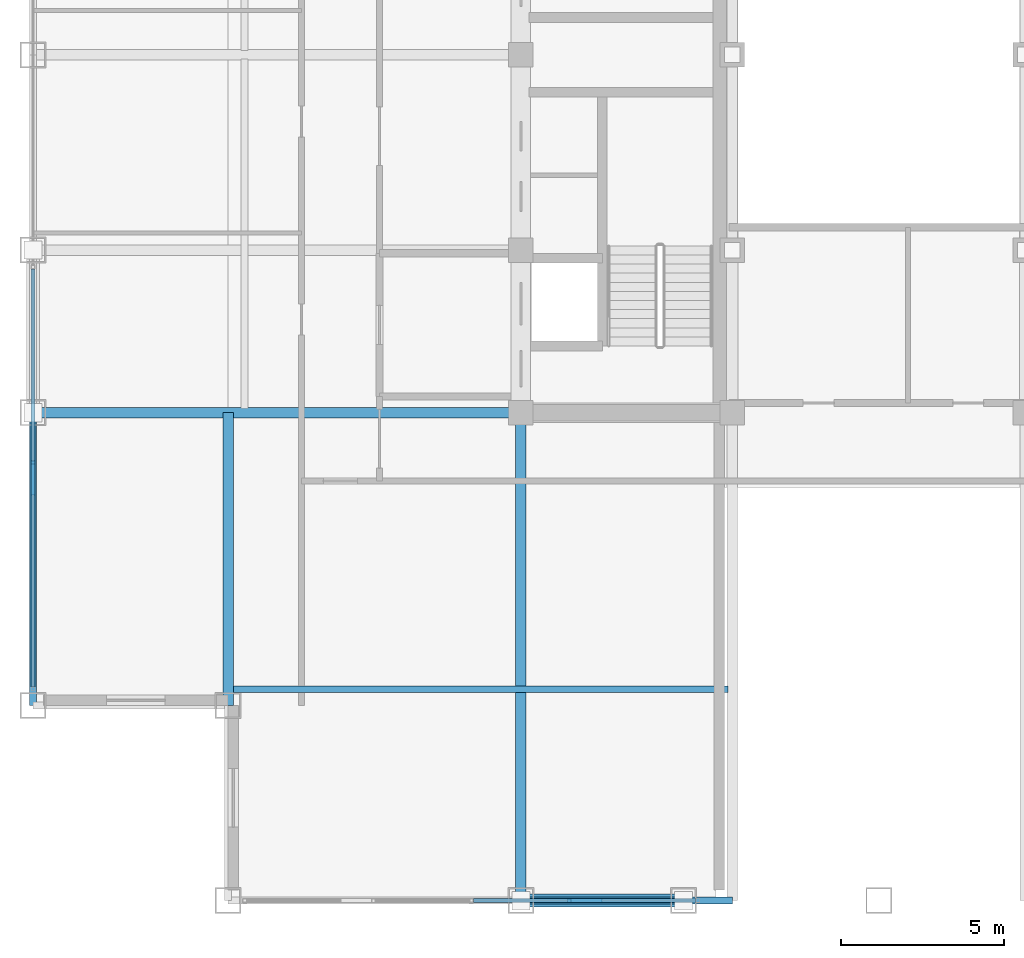
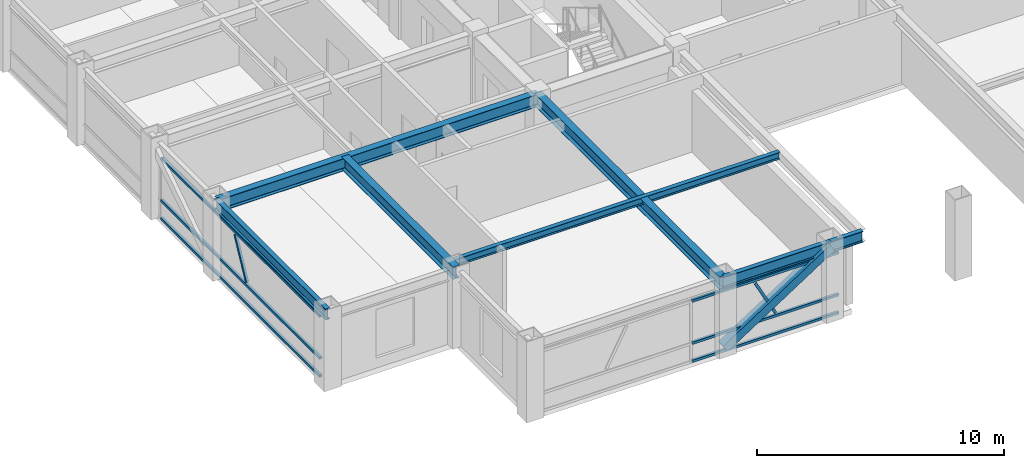
# One storey, part 3 of 29: 9 members, 7 beams, 2 elements without a shape of their own.
"""IFC4 building model written with IfcOpenShell, lengths in metres."""

from ifc_helpers import new_model, si_unit, direction, frame, origin, origin_2d, place, context, subcontext, project, spatial, hollow_rectangle, i_section, extrude, source, transform, mapped, material, material_profile, profile_set, type_object, element, aggregate, save


model = new_model("IFC4")

# Units and contexts
model_context = context("Model", 3, precision=1e-05, world=origin(), true_north=direction((0.0, 1.0)))
body_context = subcontext(model_context, "Body", "Model", "MODEL_VIEW")
ifc_project = project(units=[si_unit("LENGTHUNIT", "METRE"), si_unit("AREAUNIT", "SQUARE_METRE"), si_unit("VOLUMEUNIT", "CUBIC_METRE"), si_unit("PLANEANGLEUNIT", "RADIAN"), si_unit("MASSUNIT", "GRAM", prefix="KILO")], contexts=[model_context])

# Site, building, storey
site_placement = place(None, origin())
site = spatial("IfcSite", under=ifc_project, at=site_placement, CompositionType="ELEMENT")
building_placement = place(site_placement, origin())
building = spatial("IfcBuilding", under=site, at=building_placement, Name="Khorayat Bourse Tower", CompositionType="ELEMENT")
storey_placement = place(building_placement, frame((0.0, 0.0, 350.300048828125)))
storey = spatial("IfcBuildingStorey", under=building, at=storey_placement, Name="L83", CompositionType="ELEMENT", Elevation=350.300048828125)

# Beams
ifc_material_1 = material(Name="Steel ASTM A992 Grade 50", Category="steel")
ifc_material_profile_1 = material_profile(ifc_material_1, i_section(OverallWidth=0.214111328125, OverallDepth=0.549072265625, WebThickness=0.0146484375, FlangeThickness=0.023681640625, FilletRadius=0.013916015625, at=origin_2d()), Name="W530X138")
ifc_profile_set_1 = profile_set([ifc_material_profile_1], Name="Steel ASTM A992 Grade 50")
beam_type_1 = type_object("IfcBeamType", Name="BM-SPAN-530", PredefinedType="SPANDREL", material=ifc_profile_set_1)
shared_shape_1 = source(origin(), body_context, "Body", "SweptSolid", [
    extrude(i_section(OverallWidth=0.214111328125, OverallDepth=0.549072265625, WebThickness=0.0146484375, FlangeThickness=0.023681640625, FilletRadius=0.013916015625, at=origin_2d()), origin(), (0.0, 0.0, 1.0), 9.0),
])
beam_1_placement = place(storey_placement, frame((-26.0, -20.0, 3.46533203125), z_axis=(0.0, 1.0, 0.0), x_axis=(-1.0, 0.0, 0.0)))
element("IfcBeam", 1, at=beam_1_placement, inside=storey, type_object=beam_type_1, Name="L83 BM-SPAN-530 BM-L83-SPN-050", PredefinedType="SPANDREL", context=body_context, shape_type="MappedRepresentation", body=[
    mapped(shared_shape_1, transform((0.0, 0.0, 0.0), scale=1.0)),
])
shared_shape_2 = source(origin(), body_context, "Body", "SweptSolid", [
    extrude(i_section(OverallWidth=0.214111328125, OverallDepth=0.549072265625, WebThickness=0.0146484375, FlangeThickness=0.023681640625, FilletRadius=0.013916015625, at=origin_2d()), origin(), (0.0, 0.0, 1.0), 5.0),
])
beam_2_placement = place(storey_placement, frame((-11.0, -26.0, 3.46533203125), z_axis=(1.0, 0.0, 0.0), x_axis=(0.0, 1.0, 0.0)))
element("IfcBeam", 2, at=beam_2_placement, inside=storey, type_object=beam_type_1, Name="L83 BM-SPAN-530 BM-L83-SPN-022", PredefinedType="SPANDREL", context=body_context, shape_type="MappedRepresentation", body=[
    mapped(shared_shape_2, transform((0.0, 0.0, 0.0), scale=1.0)),
])
ifc_material_profile_2 = material_profile(ifc_material_1, i_section(OverallWidth=0.324951171875, OverallDepth=0.615966796875, WebThickness=0.013916015625, FlangeThickness=0.021484375, FilletRadius=0.01611328125, at=origin_2d()), Name="W610X174")
ifc_profile_set_2 = profile_set([ifc_material_profile_2], Name="Steel ASTM A992 Grade 50")
beam_type_2 = type_object("IfcBeamType", Name="BM-GIRD-610", PredefinedType="BEAM", material=ifc_profile_set_2)
shared_shape_3 = source(origin(), body_context, "Body", "SweptSolid", [
    extrude(i_section(OverallWidth=0.324951171875, OverallDepth=0.615966796875, WebThickness=0.013916015625, FlangeThickness=0.021484375, FilletRadius=0.01611328125, at=origin_2d()), origin(), (0.0, 0.0, 1.0), 15.0),
])
for number, where, z_axis, x_axis, name in (
    (3, (-11.0, -26.0, 3.431884765625), (0.0, 1.0, 0.0), (-1.0, 0.0, 0.0), "L83 BM-GIRD-610 BM-L83-RADY-054"),
    (4, (-26.0, -11.0, 3.431884765625), (1.0, 0.0, 0.0), (0.0, 1.0, 0.0), "L83 BM-GIRD-610 BM-L83-RADX-062"),
):
    element("IfcBeam", number, at=place(storey_placement, frame(where, z_axis=z_axis, x_axis=x_axis)), inside=storey, type_object=beam_type_2, Name=name, PredefinedType="BEAM", context=body_context, shape_type="MappedRepresentation", body=[
        mapped(shared_shape_3, transform((0.0, 0.0, 0.0), scale=1.0)),
    ])
shared_shape_4 = source(origin(), body_context, "Body", "SweptSolid", [
    extrude(i_section(OverallWidth=0.324951171875, OverallDepth=0.615966796875, WebThickness=0.013916015625, FlangeThickness=0.021484375, FilletRadius=0.01611328125, at=origin_2d()), origin(), (0.0, 0.0, 1.0), 9.0),
])
beam_3_placement = place(storey_placement, frame((-20.0, -20.0, 3.431884765625), z_axis=(0.0, 1.0, 0.0), x_axis=(-1.0, 0.0, 0.0)))
element("IfcBeam", 5, at=beam_3_placement, inside=storey, type_object=beam_type_2, Name="L83 BM-GIRD-610 BM-L83-CNRY-071", PredefinedType="BEAM", context=body_context, shape_type="MappedRepresentation", body=[
    mapped(shared_shape_4, transform((0.0, 0.0, 0.0), scale=1.0)),
])

# Member
ifc_material_2 = material(Name="Steel EN 10025-4 S460M", Category="steel")
ifc_material_profile_3 = material_profile(ifc_material_2, hollow_rectangle(XDim=0.39990234375, YDim=0.39990234375, WallThickness=0.02197265625, at=origin_2d()), Name="HSS 400x400x22")
ifc_profile_set_3 = profile_set([ifc_material_profile_3], Name="Steel EN 10025-4 S460M")
member_type_1 = type_object("IfcMemberType", Name="MBR-TUBE-400", PredefinedType="BRACE", material=ifc_profile_set_3)
shared_shape_5 = source(origin(), body_context, "Body", "SweptSolid", [
    extrude(hollow_rectangle(XDim=0.39990234375, YDim=0.39990234375, WallThickness=0.02197265625, at=origin_2d()), origin(), (0.0, 0.0, 1.0), 5.9580078125),
])
member_1_placement = place(storey_placement, frame((-11.0, -26.0, 0.25), z_axis=(0.839210474455, 0.0, 0.543806748364), x_axis=(0.0, 1.0, 0.0)))
element("IfcMember", 6, at=member_1_placement, inside=storey, type_object=member_type_1, Name="L83 Perimeter Tube Brace 01", PredefinedType="BRACE", context=body_context, shape_type="MappedRepresentation", body=[
    mapped(shared_shape_5, transform((0.0, 0.0, 0.0), scale=1.0)),
])

# Beams
shared_shape_6 = source(origin(), body_context, "Body", "SweptSolid", [
    extrude(i_section(OverallWidth=0.214111328125, OverallDepth=0.549072265625, WebThickness=0.0146484375, FlangeThickness=0.023681640625, FilletRadius=0.013916015625, at=origin_2d()), origin(), (0.0, 0.0, 1.0), 1.5),
])
beam_4_placement = place(storey_placement, frame((-6.0, -26.0, 3.46533203125), z_axis=(1.0, 0.0, 0.0), x_axis=(0.0, 1.0, 0.0)))
element("IfcBeam", 7, at=beam_4_placement, inside=storey, type_object=beam_type_1, Name="L83 BM-SPAN-530 BM-L83-SPN-023", PredefinedType="SPANDREL", context=body_context, shape_type="MappedRepresentation", body=[
    mapped(shared_shape_6, transform((0.0, 0.0, 0.0), scale=1.0)),
])
ifc_material_profile_4 = material_profile(ifc_material_1, i_section(OverallWidth=0.202880859375, OverallDepth=0.346923828125, WebThickness=0.0078125, FlangeThickness=0.013427734375, FilletRadius=0.010009765625, at=origin_2d()), Name="W360X64")
ifc_profile_set_4 = profile_set([ifc_material_profile_4], Name="Steel ASTM A992 Grade 50")
beam_type_3 = type_object("IfcBeamType", Name="BM-JOIST-360", PredefinedType="JOIST", material=ifc_profile_set_4)
shared_shape_7 = source(origin(), body_context, "Body", "SweptSolid", [
    extrude(i_section(OverallWidth=0.202880859375, OverallDepth=0.346923828125, WebThickness=0.0078125, FlangeThickness=0.013427734375, FilletRadius=0.010009765625, at=origin_2d()), origin(), (0.0, 0.0, 1.0), 15.240234375),
])
beam_5_placement = place(storey_placement, frame((-19.8701171875, -19.5, 3.56640625), z_axis=(1.0, 0.0, 0.0), x_axis=(0.0, 1.0, 0.0)))
element("IfcBeam", 8, at=beam_5_placement, inside=storey, type_object=beam_type_3, Name="L83 BM-JOIST-360 BM-L83-JSTX-075", PredefinedType="JOIST", context=body_context, shape_type="MappedRepresentation", body=[
    mapped(shared_shape_7, transform((0.0, 0.0, 0.0), scale=1.0)),
])

# Curtain wall, member
ifc_material_3 = material(Name="Aluminium EN AW-6063 T6", Category="aluminium")
curtain_wall_type = type_object("IfcCurtainWallType", Name="CW-SYS-06", PredefinedType="NOTDEFINED", material=ifc_material_3)
curtain_wall_1_placement = place(storey_placement, origin())
curtain_wall_1 = element("IfcCurtainWall", 9, at=curtain_wall_1_placement, inside=storey, type_object=curtain_wall_type, Name="L83 Curtain Wall CW-L83-S1", PredefinedType="NOTDEFINED")
ifc_material_profile_5 = material_profile(ifc_material_3, hollow_rectangle(XDim=0.1201171875, YDim=0.1201171875, WallThickness=0.0048828125, at=origin_2d()), Name="ALU 120x120x5")
ifc_profile_set_5 = profile_set([ifc_material_profile_5], Name="Aluminium EN AW-6063 T6")
member_type_2 = type_object("IfcMemberType", Name="CWM-DIAG-120", PredefinedType="MULLION", material=ifc_profile_set_5)
shared_shape_8 = source(origin(), body_context, "Body", "SweptSolid", [
    extrude(hollow_rectangle(XDim=0.1201171875, YDim=0.1201171875, WallThickness=0.0048828125, at=origin_2d()), origin(), (0.0, 0.0, 1.0), 2.0341796875),
])
member_2_placement = place(storey_placement, frame((-8.56884765625, -26.0, 1.08984375), z_axis=(-0.465696964104, 0.0, 0.884944256789), x_axis=(0.0, -1.0, 0.0)))
member_2 = element("IfcMember", 10, at=member_2_placement, type_object=member_type_2, Name="CW-L83-S1 Faceted Diagonal Mullion 2", PredefinedType="MULLION", context=body_context, shape_type="MappedRepresentation", body=[
    mapped(shared_shape_8, transform((0.0, 0.0, 0.0), scale=1.0)),
])

curtain_wall_2_placement = place(storey_placement, origin())
curtain_wall_2 = element("IfcCurtainWall", 11, at=curtain_wall_2_placement, inside=storey, type_object=curtain_wall_type, Name="L83 Curtain Wall CW-L83-W1", PredefinedType="NOTDEFINED")
member_3_placement = place(storey_placement, frame((-26.0, -13.47705078125, 1.08984375), z_axis=(0.0, 0.465790950955, 0.884894790361), x_axis=(-1.0, 0.0, 0.0)))
member_3 = element("IfcMember", 12, at=member_3_placement, type_object=member_type_2, Name="CW-L83-W1 Faceted Diagonal Mullion 3", PredefinedType="MULLION", context=body_context, shape_type="MappedRepresentation", body=[
    mapped(shared_shape_8, transform((0.0, 0.0, 0.0), scale=1.0)),
])

# Member
ifc_material_profile_6 = material_profile(ifc_material_3, hollow_rectangle(XDim=0.1201171875, YDim=0.1201171875, WallThickness=0.0048828125, at=origin_2d()), Name="ALU 120x120x5")
ifc_profile_set_6 = profile_set([ifc_material_profile_6], Name="Aluminium EN AW-6063 T6")
member_type_3 = type_object("IfcMemberType", Name="CWT-HORZ-120", PredefinedType="USERDEFINED", material=ifc_profile_set_6)
shared_shape_9 = source(origin(), body_context, "Body", "SweptSolid", [
    extrude(hollow_rectangle(XDim=0.1201171875, YDim=0.1201171875, WallThickness=0.0048828125, at=origin_2d()), origin(), (0.0, 0.0, 1.0), 6.844970703125),
])
member_4_placement = place(storey_placement, frame((-12.465087890625, -26.0, 0.06005859375), z_axis=(1.0, 0.0, 0.0), x_axis=(0.0, 1.0, 0.0)))
member_4 = element("IfcMember", 13, at=member_4_placement, type_object=member_type_3, Name="CW-L83-S1 Horizontal Transom 2-1", ObjectType="TRANSOM", PredefinedType="USERDEFINED", context=body_context, shape_type="MappedRepresentation", body=[
    mapped(shared_shape_9, transform((0.0, 0.0, 0.0), scale=1.0)),
])

member_5_placement = place(storey_placement, frame((-12.465087890625, -26.0, 0.949951171875), z_axis=(1.0, 0.0, 0.0), x_axis=(0.0, 1.0, 0.0)))
member_5 = element("IfcMember", 14, at=member_5_placement, type_object=member_type_3, Name="CW-L83-S1 Horizontal Transom 2-2", ObjectType="TRANSOM", PredefinedType="USERDEFINED", context=body_context, shape_type="MappedRepresentation", body=[
    mapped(shared_shape_9, transform((0.0, 0.0, 0.0), scale=1.0)),
])

member_6_placement = place(storey_placement, frame((-12.465087890625, -26.0, 3.030029296875), z_axis=(1.0, 0.0, 0.0), x_axis=(0.0, 1.0, 0.0)))
member_6 = element("IfcMember", 15, at=member_6_placement, type_object=member_type_3, Name="CW-L83-S1 Horizontal Transom 2-3", ObjectType="TRANSOM", PredefinedType="USERDEFINED", context=body_context, shape_type="MappedRepresentation", body=[
    mapped(shared_shape_9, transform((0.0, 0.0, 0.0), scale=1.0)),
])

aggregate(curtain_wall_1, [member_4, member_5, member_6, member_2])

shared_shape_10 = source(origin(), body_context, "Body", "SweptSolid", [
    extrude(hollow_rectangle(XDim=0.1201171875, YDim=0.1201171875, WallThickness=0.0048828125, at=origin_2d()), origin(), (0.0, 0.0, 1.0), 12.853271484375),
])
member_7_placement = place(storey_placement, frame((-26.0, -6.57666015625, 0.06005859375), z_axis=(0.0, -1.0, 0.0), x_axis=(1.0, 0.0, 0.0)))
member_7 = element("IfcMember", 16, at=member_7_placement, type_object=member_type_3, Name="CW-L83-W1 Horizontal Transom 3-1", ObjectType="TRANSOM", PredefinedType="USERDEFINED", context=body_context, shape_type="MappedRepresentation", body=[
    mapped(shared_shape_10, transform((0.0, 0.0, 0.0), scale=1.0)),
])

member_8_placement = place(storey_placement, frame((-26.0, -6.57666015625, 0.949951171875), z_axis=(0.0, -1.0, 0.0), x_axis=(1.0, 0.0, 0.0)))
member_8 = element("IfcMember", 17, at=member_8_placement, type_object=member_type_3, Name="CW-L83-W1 Horizontal Transom 3-2", ObjectType="TRANSOM", PredefinedType="USERDEFINED", context=body_context, shape_type="MappedRepresentation", body=[
    mapped(shared_shape_10, transform((0.0, 0.0, 0.0), scale=1.0)),
])

member_9_placement = place(storey_placement, frame((-26.0, -6.57666015625, 3.030029296875), z_axis=(0.0, -1.0, 0.0), x_axis=(1.0, 0.0, 0.0)))
member_9 = element("IfcMember", 18, at=member_9_placement, type_object=member_type_3, Name="CW-L83-W1 Horizontal Transom 3-3", ObjectType="TRANSOM", PredefinedType="USERDEFINED", context=body_context, shape_type="MappedRepresentation", body=[
    mapped(shared_shape_10, transform((0.0, 0.0, 0.0), scale=1.0)),
])

aggregate(curtain_wall_2, [member_7, member_8, member_9, member_3])

save(model, "model.ifc")
